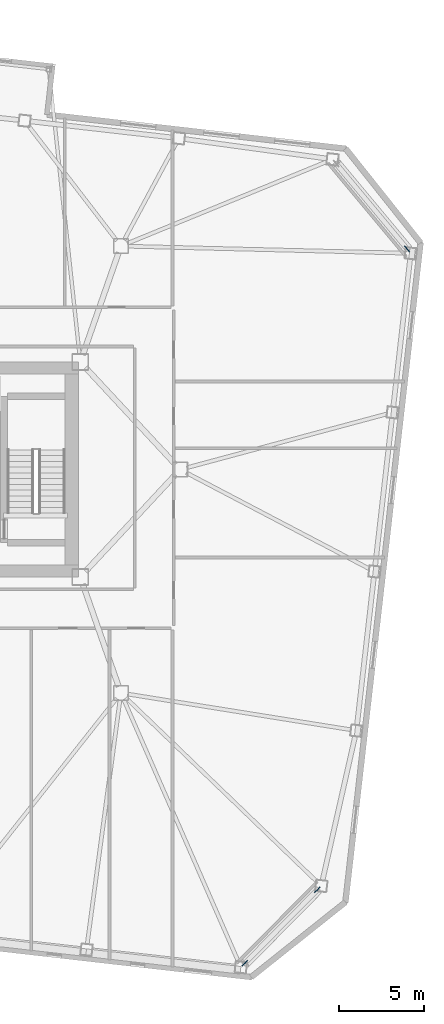
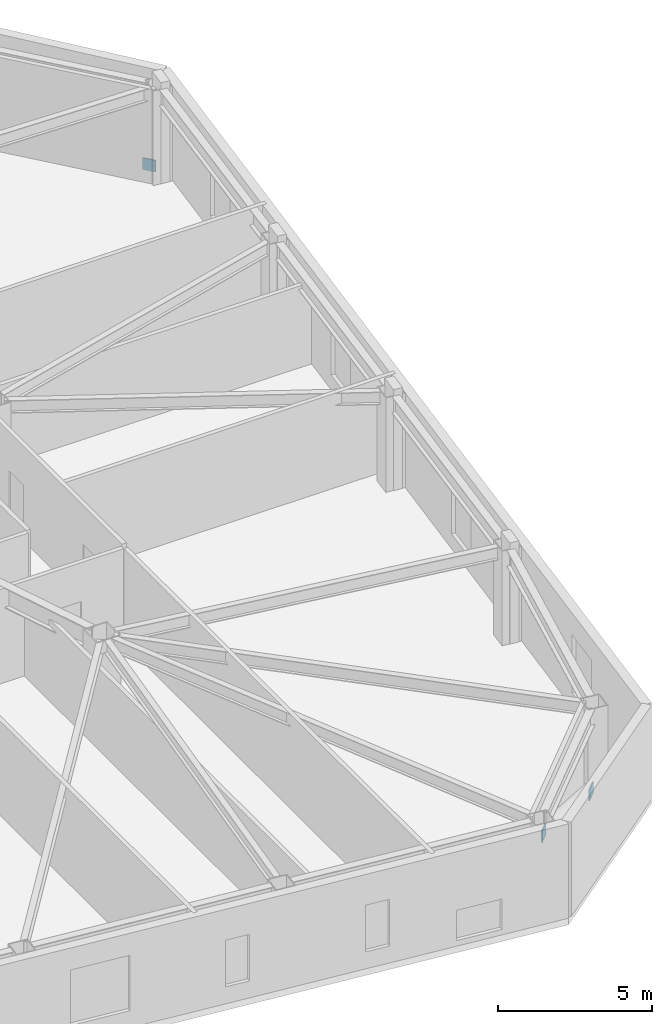
# One storey, part 19 of 21: 3 discrete accessories.
"""IFC4 building model written with IfcOpenShell, lengths in metres."""

from ifc_helpers import new_model, si_unit, direction, frame, origin, origin_2d, place, context, subcontext, project, spatial, rectangle, extrude, material, type_object, element, save


model = new_model("IFC4")

# Units and contexts
model_context = context("Model", 3, precision=1e-05, world=origin(), true_north=direction((0.0, 1.0)))
body_context = subcontext(model_context, "Body", "Model", "MODEL_VIEW")
ifc_project = project(units=[si_unit("LENGTHUNIT", "METRE"), si_unit("AREAUNIT", "SQUARE_METRE"), si_unit("VOLUMEUNIT", "CUBIC_METRE"), si_unit("PLANEANGLEUNIT", "RADIAN"), si_unit("MASSUNIT", "GRAM", prefix="KILO")], contexts=[model_context])

# Site, building, storey
site_placement = place(None, origin())
site = spatial("IfcSite", under=ifc_project, at=site_placement, CompositionType="ELEMENT")
building_placement = place(site_placement, origin())
building = spatial("IfcBuilding", under=site, at=building_placement, Name="Tavrogorsk Clinical Tower", CompositionType="ELEMENT")
storey_placement = place(building_placement, frame((0.0, 0.0, 121.39990234375)))
storey = spatial("IfcBuildingStorey", under=building, at=storey_placement, Name="L27", CompositionType="ELEMENT", Elevation=121.39990234375)

# Discrete accessories
ifc_material = material(Name="Structural steel S440", Category="steel")
discrete_accessory_type = type_object("IfcDiscreteAccessoryType", Name="GussetPlateBracket_25", PredefinedType="BRACKET", material=ifc_material)
for number, where, z_axis, x_axis, name in (
    (1, (36.1025390625, -24.82763671875, 0.20458984375), (0.0, 0.0, 1.0), (-0.702898299792, -0.711290362756, 0.0), "L27 Brace Gusset Plate EXOCRN-L27-1-A"),
    (2, (31.81640625, -29.1650390625, 2.67578125), (0.0, 0.0, 1.0), (-0.702898299792, -0.711290362756, 0.0), "L27 Brace Gusset Plate EXOCRN-L27-1-B"),
    (3, (41.40771484375, 13.03076171875, 0.197021484375), (0.0, 0.0, 1.0), (-0.640243780506, 0.768171791674, 0.0), "L27 Brace Gusset Plate EXOCRN-L27-2-A"),
):
    element("IfcDiscreteAccessory", number, at=place(storey_placement, frame(where, z_axis=z_axis, x_axis=x_axis)), inside=storey, type_object=discrete_accessory_type, Name=name, PredefinedType="BRACKET", context=body_context, shape_type="SweptSolid", body=[
        extrude(rectangle(XDim=0.4599609375, YDim=0.0400390625, at=origin_2d()), origin(), (0.0, 0.0, 1.0), 0.4599609375),
    ])

save(model, "model.ifc")
